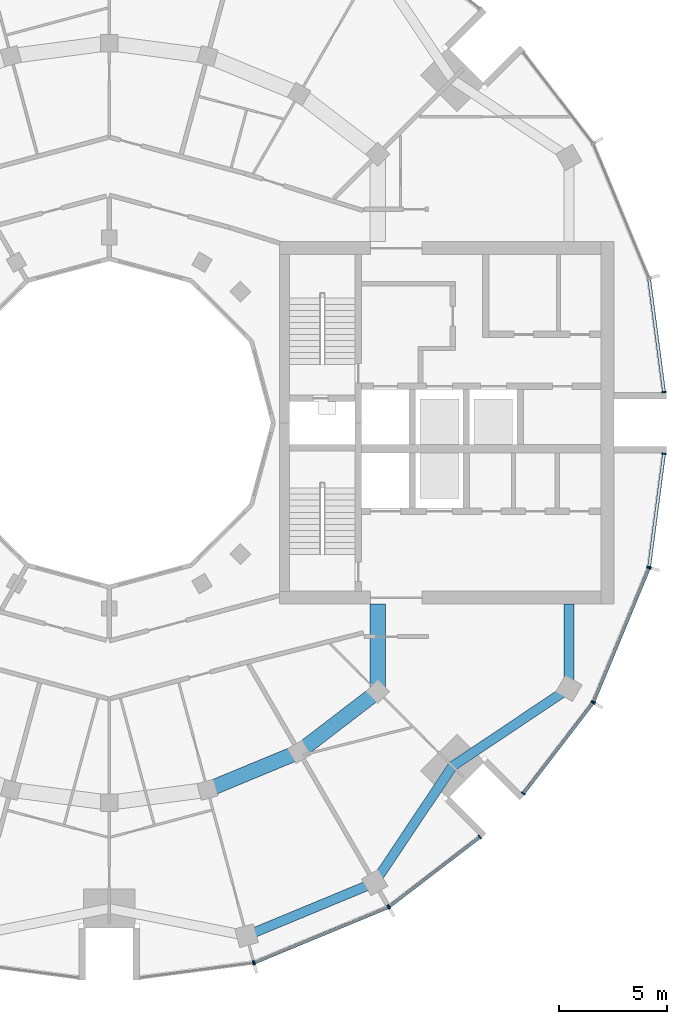
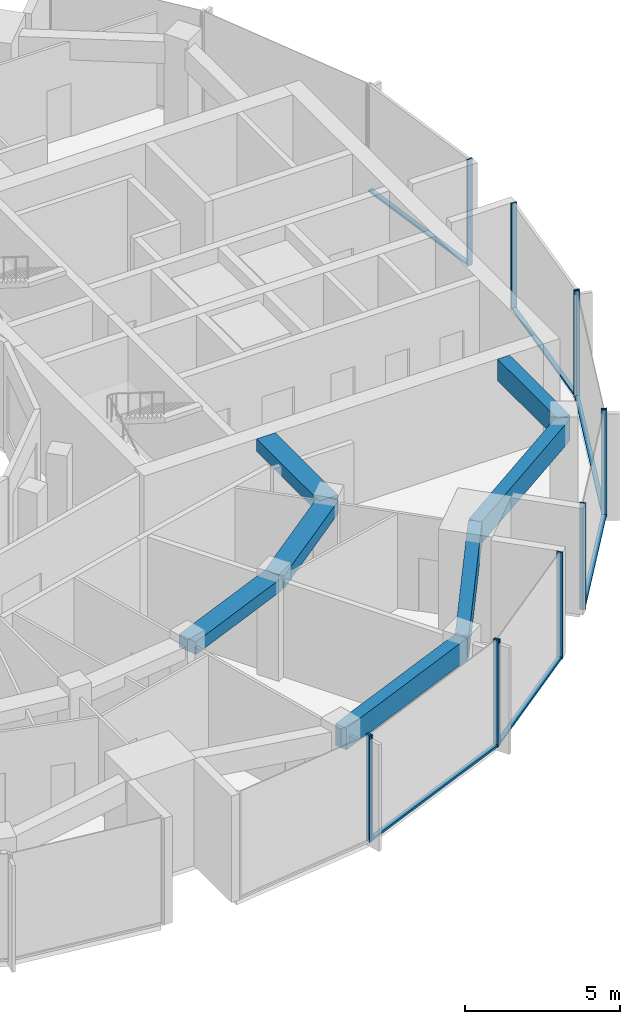
# One storey, part 4 of 15: 18 members, 7 beams, 7 elements without a shape of their own.
"""IFC4 building model written with IfcOpenShell, lengths in metres."""

from ifc_helpers import new_model, si_unit, direction, frame, origin, origin_2d, place, context, subcontext, project, spatial, rectangle, extrude, material, layer, layer_set, material_profile, profile_set, type_object, element, aggregate, save


model = new_model("IFC4")

# Units and contexts
model_context = context("Model", 3, precision=1e-05, world=origin(), true_north=direction((0.0, 1.0)))
body_context = subcontext(model_context, "Body", "Model", "MODEL_VIEW")
ifc_project = project(units=[si_unit("LENGTHUNIT", "METRE"), si_unit("AREAUNIT", "SQUARE_METRE"), si_unit("VOLUMEUNIT", "CUBIC_METRE"), si_unit("PLANEANGLEUNIT", "RADIAN"), si_unit("MASSUNIT", "GRAM", prefix="KILO")], contexts=[model_context])

# Site, building, storey
site_placement = place(None, origin())
site = spatial("IfcSite", under=ifc_project, at=site_placement, CompositionType="ELEMENT")
building_placement = place(site_placement, origin())
building = spatial("IfcBuilding", under=site, at=building_placement, Name="Torre Brocal", CompositionType="ELEMENT")
storey_placement = place(building_placement, frame((0.0, 0.0, 262.5)))
storey = spatial("IfcBuildingStorey", under=building, at=storey_placement, Name="L60", CompositionType="ELEMENT", Elevation=262.5)

# Curtain wall, member
ifc_material_1 = material(Name="Aluminium and glass", Category="aluminium")
ifc_layer_1 = layer(ifc_material_1, 0.199951171875)
ifc_layer_set_1 = layer_set([ifc_layer_1], Name="Aluminium and glass")
curtain_wall_type_1 = type_object("IfcCurtainWallType", Name="CW-1 CURTAIN WALL 4200 HIGH", PredefinedType="NOTDEFINED", material=ifc_layer_set_1)
curtain_wall_1_placement = place(storey_placement, origin())
curtain_wall_1 = element("IfcCurtainWall", 1, at=curtain_wall_1_placement, inside=storey, type_object=curtain_wall_type_1, Name="CW-1 RUN 19", PredefinedType="NOTDEFINED")
ifc_material_2 = material(Name="Aluminium, dark anodised", Category="aluminium")
ifc_material_profile_1 = material_profile(ifc_material_2, rectangle(XDim=0.199951171875, YDim=0.06005859375, at=origin_2d()), Name="CW-1 MULLION 60X200")
ifc_profile_set_1 = profile_set([ifc_material_profile_1], Name="Aluminium, dark anodised")
member_type_1 = type_object("IfcMemberType", Name="CW-1 MULLION 60X200", PredefinedType="MULLION", material=ifc_profile_set_1)
member_1_placement = place(storey_placement, frame((86.67333984375, 49.9794921875, 0.0), z_axis=(0.0, 0.0, 1.0), x_axis=(-0.13052619222, 0.991444861374, 0.0)))
member_1 = element("IfcMember", 2, at=member_1_placement, type_object=member_type_1, Name="CW1-5 mullion 2", PredefinedType="MULLION", context=body_context, shape_type="SweptSolid", body=[
    extrude(rectangle(XDim=0.199951171875, YDim=0.06005859375, at=origin_2d()), origin(), (0.0, 0.0, 1.0), 4.199951171875),
])
aggregate(curtain_wall_1, [member_1])

# Curtain wall, members
curtain_wall_2_placement = place(storey_placement, origin())
curtain_wall_2 = element("IfcCurtainWall", 3, at=curtain_wall_2_placement, inside=storey, type_object=curtain_wall_type_1, Name="CW-1 RUN 20", PredefinedType="NOTDEFINED")
member_2_placement = place(storey_placement, frame((86.73095703125, 49.994873046875, 0.0), z_axis=(0.0, 0.0, 1.0), x_axis=(-0.382683432333, 0.923879532525, 0.0)))
member_2 = element("IfcMember", 4, at=member_2_placement, type_object=member_type_1, Name="CW1-5 mullion 1", PredefinedType="MULLION", context=body_context, shape_type="SweptSolid", body=[
    extrude(rectangle(XDim=0.199951171875, YDim=0.06005859375, at=origin_2d()), origin(), (0.0, 0.0, 1.0), 4.199951171875),
])
member_3_placement = place(storey_placement, frame((92.921875, 52.559326171875, 0.0), z_axis=(0.0, 0.0, 1.0), x_axis=(-0.382683432333, 0.923879532525, 0.0)))
member_3 = element("IfcMember", 5, at=member_3_placement, type_object=member_type_1, Name="CW1-5 mullion 2", PredefinedType="MULLION", context=body_context, shape_type="SweptSolid", body=[
    extrude(rectangle(XDim=0.199951171875, YDim=0.06005859375, at=origin_2d()), origin(), (0.0, 0.0, 1.0), 4.199951171875),
])

curtain_wall_3_placement = place(storey_placement, origin())
curtain_wall_3 = element("IfcCurtainWall", 6, at=curtain_wall_3_placement, inside=storey, type_object=curtain_wall_type_1, Name="CW-1 RUN 21", PredefinedType="NOTDEFINED")
member_4_placement = place(storey_placement, frame((92.973388671875, 52.5888671875, 0.0), z_axis=(0.0, 0.0, 1.0), x_axis=(-0.60876142905, 0.793353340259, 0.0)))
member_4 = element("IfcMember", 7, at=member_4_placement, type_object=member_type_1, Name="CW1-5 mullion 1", PredefinedType="MULLION", context=body_context, shape_type="SweptSolid", body=[
    extrude(rectangle(XDim=0.199951171875, YDim=0.06005859375, at=origin_2d()), origin(), (0.0, 0.0, 1.0), 4.199951171875),
])
member_5_placement = place(storey_placement, frame((97.16943359375, 55.80859375, 0.0), z_axis=(0.0, 0.0, 1.0), x_axis=(-0.60876142905, 0.793353340259, 0.0)))
member_5 = element("IfcMember", 8, at=member_5_placement, type_object=member_type_1, Name="CW1-5 mullion 2", PredefinedType="MULLION", context=body_context, shape_type="SweptSolid", body=[
    extrude(rectangle(XDim=0.199951171875, YDim=0.06005859375, at=origin_2d()), origin(), (0.0, 0.0, 1.0), 4.199951171875),
])

curtain_wall_4_placement = place(storey_placement, origin())
curtain_wall_4 = element("IfcCurtainWall", 9, at=curtain_wall_4_placement, inside=storey, type_object=curtain_wall_type_1, Name="CW-1 RUN 22", PredefinedType="NOTDEFINED")
member_6_placement = place(storey_placement, frame((99.19140625, 57.83056640625, 0.0), z_axis=(0.0, 0.0, 1.0), x_axis=(-0.793353340259, 0.60876142905, 0.0)))
member_6 = element("IfcMember", 10, at=member_6_placement, type_object=member_type_1, Name="CW1-5 mullion 1", PredefinedType="MULLION", context=body_context, shape_type="SweptSolid", body=[
    extrude(rectangle(XDim=0.199951171875, YDim=0.06005859375, at=origin_2d()), origin(), (0.0, 0.0, 1.0), 4.199951171875),
])
member_7_placement = place(storey_placement, frame((102.4111328125, 62.026611328125, 0.0), z_axis=(0.0, 0.0, 1.0), x_axis=(-0.793353340259, 0.60876142905, 0.0)))
member_7 = element("IfcMember", 11, at=member_7_placement, type_object=member_type_1, Name="CW1-5 mullion 2", PredefinedType="MULLION", context=body_context, shape_type="SweptSolid", body=[
    extrude(rectangle(XDim=0.199951171875, YDim=0.06005859375, at=origin_2d()), origin(), (0.0, 0.0, 1.0), 4.199951171875),
])

curtain_wall_5_placement = place(storey_placement, origin())
curtain_wall_5 = element("IfcCurtainWall", 12, at=curtain_wall_5_placement, inside=storey, type_object=curtain_wall_type_1, Name="CW-1 RUN 23", PredefinedType="NOTDEFINED")
member_8_placement = place(storey_placement, frame((102.440673828125, 62.078125, 0.0), z_axis=(0.0, 0.0, 1.0), x_axis=(-0.923879532525, 0.382683432333, 0.0)))
member_8 = element("IfcMember", 13, at=member_8_placement, type_object=member_type_1, Name="CW1-5 mullion 1", PredefinedType="MULLION", context=body_context, shape_type="SweptSolid", body=[
    extrude(rectangle(XDim=0.199951171875, YDim=0.06005859375, at=origin_2d()), origin(), (0.0, 0.0, 1.0), 4.199951171875),
])
member_9_placement = place(storey_placement, frame((105.005126953125, 68.26904296875, 0.0), z_axis=(0.0, 0.0, 1.0), x_axis=(-0.923879532525, 0.382683432333, 0.0)))
member_9 = element("IfcMember", 14, at=member_9_placement, type_object=member_type_1, Name="CW1-5 mullion 2", PredefinedType="MULLION", context=body_context, shape_type="SweptSolid", body=[
    extrude(rectangle(XDim=0.199951171875, YDim=0.06005859375, at=origin_2d()), origin(), (0.0, 0.0, 1.0), 4.199951171875),
])

# Member
ifc_material_3 = material(Name="Aluminium, dark anodised", Category="aluminium")
ifc_material_profile_2 = material_profile(ifc_material_3, rectangle(XDim=0.159912109375, YDim=0.080078125, at=origin_2d()), Name="CW-1 TRANSOM 160X80")
ifc_profile_set_2 = profile_set([ifc_material_profile_2], Name="Aluminium, dark anodised")
member_type_2 = type_object("IfcMemberType", Name="CW-1 TRANSOM 160X80", PredefinedType="USERDEFINED", material=ifc_profile_set_2)
member_10_placement = place(storey_placement, frame((86.758544921875, 50.00634765625, 0.0400390625), z_axis=(0.923887344364, 0.38266457234, 0.0), x_axis=(-0.38266457234, 0.923887344364, 0.0)))
member_10 = element("IfcMember", 15, at=member_10_placement, type_object=member_type_2, Name="CW1-5 transom 1.1", ObjectType="TRANSOM", PredefinedType="USERDEFINED", context=body_context, shape_type="SweptSolid", body=[
    extrude(rectangle(XDim=0.159912109375, YDim=0.080078125, at=origin_2d()), origin(), (0.0, 0.0, 1.0), 6.640869140625),
])

aggregate(curtain_wall_2, [member_2, member_3, member_10])

member_11_placement = place(storey_placement, frame((92.9970703125, 52.607177734375, 0.0400390625), z_axis=(0.79336281513, 0.60874908096, 0.0), x_axis=(-0.60874908096, 0.79336281513, 0.0)))
member_11 = element("IfcMember", 16, at=member_11_placement, type_object=member_type_2, Name="CW1-5 transom 1.1", ObjectType="TRANSOM", PredefinedType="USERDEFINED", context=body_context, shape_type="SweptSolid", body=[
    extrude(rectangle(XDim=0.159912109375, YDim=0.080078125, at=origin_2d()), origin(), (0.0, 0.0, 1.0), 5.22900390625),
])

aggregate(curtain_wall_3, [member_4, member_5, member_11])

member_12_placement = place(storey_placement, frame((99.209716796875, 57.8544921875, 0.0400390625), z_axis=(0.60874908096, 0.79336281513, 0.0), x_axis=(-0.79336281513, 0.60874908096, 0.0)))
member_12 = element("IfcMember", 17, at=member_12_placement, type_object=member_type_2, Name="CW1-5 transom 1.1", ObjectType="TRANSOM", PredefinedType="USERDEFINED", context=body_context, shape_type="SweptSolid", body=[
    extrude(rectangle(XDim=0.159912109375, YDim=0.080078125, at=origin_2d()), origin(), (0.0, 0.0, 1.0), 5.22900390625),
])

aggregate(curtain_wall_4, [member_6, member_7, member_12])

member_13_placement = place(storey_placement, frame((102.452392578125, 62.10595703125, 0.0400390625), z_axis=(0.38266457234, 0.923887344364, 0.0), x_axis=(-0.923887344364, 0.38266457234, 0.0)))
member_13 = element("IfcMember", 18, at=member_13_placement, type_object=member_type_2, Name="CW1-5 transom 1.1", ObjectType="TRANSOM", PredefinedType="USERDEFINED", context=body_context, shape_type="SweptSolid", body=[
    extrude(rectangle(XDim=0.159912109375, YDim=0.080078125, at=origin_2d()), origin(), (0.0, 0.0, 1.0), 6.640869140625),
])

aggregate(curtain_wall_5, [member_8, member_9, member_13])

# Curtain wall, member
ifc_material_4 = material(Name="Aluminium and glass", Category="aluminium")
ifc_layer_2 = layer(ifc_material_4, 0.199951171875)
ifc_layer_set_2 = layer_set([ifc_layer_2], Name="Aluminium and glass")
curtain_wall_type_2 = type_object("IfcCurtainWallType", Name="CW-1B CURTAIN WALL 4200 HIGH", PredefinedType="NOTDEFINED", material=ifc_layer_set_2)
curtain_wall_6_placement = place(storey_placement, origin())
curtain_wall_6 = element("IfcCurtainWall", 19, at=curtain_wall_6_placement, inside=storey, type_object=curtain_wall_type_2, Name="CW-1B RUN 1", PredefinedType="NOTDEFINED")
ifc_material_5 = material(Name="Aluminium, dark anodised", Category="aluminium")
ifc_material_profile_3 = material_profile(ifc_material_5, rectangle(XDim=0.199951171875, YDim=0.06005859375, at=origin_2d()), Name="CW-1B MULLION 60X200")
ifc_profile_set_3 = profile_set([ifc_material_profile_3], Name="Aluminium, dark anodised")
member_type_3 = type_object("IfcMemberType", Name="CW-1B MULLION 60X200", PredefinedType="MULLION", material=ifc_profile_set_3)
member_14_placement = place(storey_placement, frame((105.7109375, 76.4296875, 0.0), z_axis=(0.0, 0.0, 1.0), x_axis=(-0.991444861374, -0.13052619222, 0.0)))
member_14 = element("IfcMember", 20, at=member_14_placement, type_object=member_type_3, Name="CW1B-5 mullion 1", PredefinedType="MULLION", context=body_context, shape_type="SweptSolid", body=[
    extrude(rectangle(XDim=0.199951171875, YDim=0.06005859375, at=origin_2d()), origin(), (0.0, 0.0, 1.0), 4.199951171875),
])

# Curtain wall, members
curtain_wall_7_placement = place(storey_placement, origin())
curtain_wall_7 = element("IfcCurtainWall", 21, at=curtain_wall_7_placement, inside=storey, type_object=curtain_wall_type_2, Name="CW-1B RUN 24", PredefinedType="NOTDEFINED")
member_15_placement = place(storey_placement, frame((105.0205078125, 68.32666015625, 0.0), z_axis=(0.0, 0.0, 1.0), x_axis=(-0.991444861374, 0.13052619222, 0.0)))
member_15 = element("IfcMember", 22, at=member_15_placement, type_object=member_type_3, Name="CW1B-5 mullion 1", PredefinedType="MULLION", context=body_context, shape_type="SweptSolid", body=[
    extrude(rectangle(XDim=0.199951171875, YDim=0.06005859375, at=origin_2d()), origin(), (0.0, 0.0, 1.0), 4.199951171875),
])
member_16_placement = place(storey_placement, frame((105.7109375, 73.5703125, 0.0), z_axis=(0.0, 0.0, 1.0), x_axis=(-0.991444861374, 0.13052619222, 0.0)))
member_16 = element("IfcMember", 23, at=member_16_placement, type_object=member_type_3, Name="CW1B-5 mullion 2", PredefinedType="MULLION", context=body_context, shape_type="SweptSolid", body=[
    extrude(rectangle(XDim=0.199951171875, YDim=0.06005859375, at=origin_2d()), origin(), (0.0, 0.0, 1.0), 4.199951171875),
])

# Member
ifc_material_6 = material(Name="Aluminium, dark anodised", Category="aluminium")
ifc_material_profile_4 = material_profile(ifc_material_6, rectangle(XDim=0.159912109375, YDim=0.080078125, at=origin_2d()), Name="CW-1B TRANSOM 160X80")
ifc_profile_set_4 = profile_set([ifc_material_profile_4], Name="Aluminium, dark anodised")
member_type_4 = type_object("IfcMemberType", Name="CW-1B TRANSOM 160X80", PredefinedType="USERDEFINED", material=ifc_profile_set_4)
member_17_placement = place(storey_placement, frame((105.70703125, 76.45947265625, 0.0400390625), z_axis=(-0.130542677827, 0.991442690863, 0.0), x_axis=(-0.991442690863, -0.130542677827, 0.0)))
member_17 = element("IfcMember", 24, at=member_17_placement, type_object=member_type_4, Name="CW1B-5 transom 1.1", ObjectType="TRANSOM", PredefinedType="USERDEFINED", context=body_context, shape_type="SweptSolid", body=[
    extrude(rectangle(XDim=0.159912109375, YDim=0.080078125, at=origin_2d()), origin(), (0.0, 0.0, 1.0), 5.22900390625),
])

aggregate(curtain_wall_6, [member_14, member_17])

member_18_placement = place(storey_placement, frame((105.0244140625, 68.356201171875, 0.0400390625), z_axis=(0.130542677827, 0.991442690863, 0.0), x_axis=(-0.991442690863, 0.130542677827, 0.0)))
member_18 = element("IfcMember", 25, at=member_18_placement, type_object=member_type_4, Name="CW1B-5 transom 1.1", ObjectType="TRANSOM", PredefinedType="USERDEFINED", context=body_context, shape_type="SweptSolid", body=[
    extrude(rectangle(XDim=0.159912109375, YDim=0.080078125, at=origin_2d()), origin(), (0.0, 0.0, 1.0), 5.22900390625),
])

aggregate(curtain_wall_7, [member_15, member_16, member_18])

# Beams
ifc_material_7 = material(Name="Concrete C50", Category="concrete")
ifc_material_profile_5 = material_profile(ifc_material_7, rectangle(XDim=0.699951171875, YDim=0.5, at=origin_2d()), Name="RC 700X500")
ifc_profile_set_5 = profile_set([ifc_material_profile_5], Name="Concrete C50")
beam_type_1 = type_object("IfcBeamType", Name="RC BEAM 700X500 C50 TOP 3880", PredefinedType="BEAM", material=ifc_profile_set_5)
beam_1_placement = place(storey_placement, frame((84.55517578125, 57.999755859375, 3.6298828125), z_axis=(0.923878240166, 0.382686552348, 0.0), x_axis=(-0.382686552348, 0.923878240166, 0.0)))
element("IfcBeam", 26, at=beam_1_placement, inside=storey, type_object=beam_type_1, Name="Beam BT-37", PredefinedType="BEAM", context=body_context, shape_type="SweptSolid", body=[
    extrude(rectangle(XDim=0.699951171875, YDim=0.5, at=origin_2d()), origin(), (0.0, 0.0, 1.0), 4.5947265625),
])
beam_2_placement = place(storey_placement, frame((88.800048828125, 59.758056640625, 3.6298828125), z_axis=(0.793358265959, 0.6087550097, 0.0), x_axis=(-0.6087550097, 0.793358265959, 0.0)))
element("IfcBeam", 27, at=beam_2_placement, inside=storey, type_object=beam_type_1, Name="Beam BT-37", PredefinedType="BEAM", context=body_context, shape_type="SweptSolid", body=[
    extrude(rectangle(XDim=0.699951171875, YDim=0.5, at=origin_2d()), origin(), (0.0, 0.0, 1.0), 4.594482421875),
])
beam_3_placement = place(storey_placement, frame((92.445068359375, 62.554931640625, 3.6298828125), z_axis=(0.0, 1.0, 0.0), x_axis=(-1.0, 0.0, 0.0)))
element("IfcBeam", 28, at=beam_3_placement, inside=storey, type_object=beam_type_1, Name="Beam BT-37", PredefinedType="BEAM", context=body_context, shape_type="SweptSolid", body=[
    extrude(rectangle(XDim=0.699951171875, YDim=0.5, at=origin_2d()), origin(), (0.0, 0.0, 1.0), 4.045166015625),
])
ifc_material_8 = material(Name="Concrete C50", Category="concrete")
ifc_material_profile_6 = material_profile(ifc_material_8, rectangle(XDim=0.449951171875, YDim=0.85009765625, at=origin_2d()), Name="RC 450X850")
ifc_profile_set_6 = profile_set([ifc_material_profile_6], Name="Concrete C50")
beam_type_2 = type_object("IfcBeamType", Name="RC SPANDREL BEAM 450X850 C50 TOP 3880", PredefinedType="SPANDREL", material=ifc_profile_set_6)
beam_4_placement = place(storey_placement, frame((86.366943359375, 51.23828125, 3.455078125), z_axis=(0.923882462513, 0.382676358639, 0.0), x_axis=(-0.382676358639, 0.923882462513, 0.0)))
element("IfcBeam", 29, at=beam_4_placement, inside=storey, type_object=beam_type_2, Name="Beam BT-38", PredefinedType="SPANDREL", context=body_context, shape_type="SweptSolid", body=[
    extrude(rectangle(XDim=0.449951171875, YDim=0.85009765625, at=origin_2d()), origin(), (0.0, 0.0, 1.0), 6.421875),
])
for number, where, z_axis, x_axis, name in (
    (30, (92.300048828125, 53.69580078125, 3.455078125), (0.556157602282, 0.831076844476, 0.0), (-0.831076844476, 0.556157602282, 0.0), "Beam BT-38"),
    (31, (95.909912109375, 59.090087890625, 3.455078125), (0.831076844476, 0.556157602282, 0.0), (-0.556157602282, 0.831076844476, 0.0), "Beam BT-38"),
):
    element("IfcBeam", number, at=place(storey_placement, frame(where, z_axis=z_axis, x_axis=x_axis)), inside=storey, type_object=beam_type_2, Name=name, PredefinedType="SPANDREL", context=body_context, shape_type="SweptSolid", body=[
        extrude(rectangle(XDim=0.449951171875, YDim=0.85009765625, at=origin_2d()), origin(), (0.0, 0.0, 1.0), 6.49072265625),
    ])
beam_5_placement = place(storey_placement, frame((101.30419921875, 62.699951171875, 3.455078125), z_axis=(0.0, 1.0, 0.0), x_axis=(-1.0, 0.0, 0.0)))
element("IfcBeam", 32, at=beam_5_placement, inside=storey, type_object=beam_type_2, Name="Beam BT-38", PredefinedType="SPANDREL", context=body_context, shape_type="SweptSolid", body=[
    extrude(rectangle(XDim=0.449951171875, YDim=0.85009765625, at=origin_2d()), origin(), (0.0, 0.0, 1.0), 3.900146484375),
])

save(model, "model.ifc")
